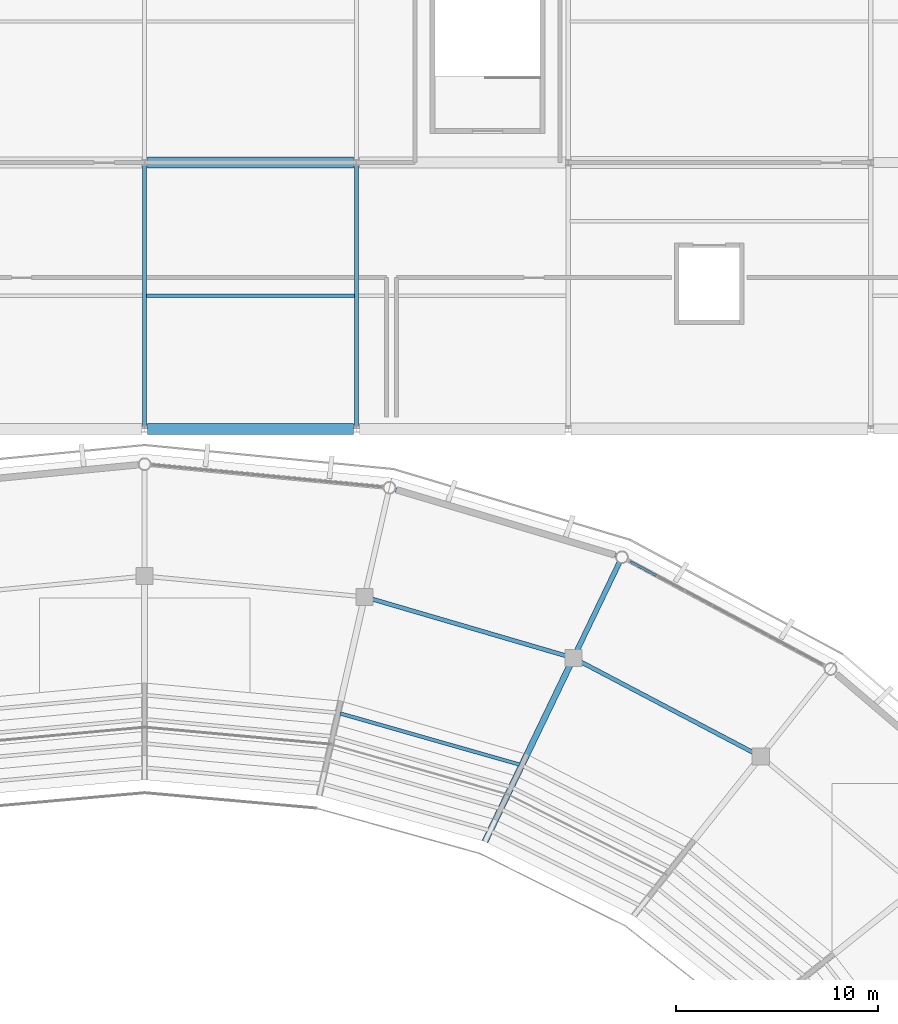
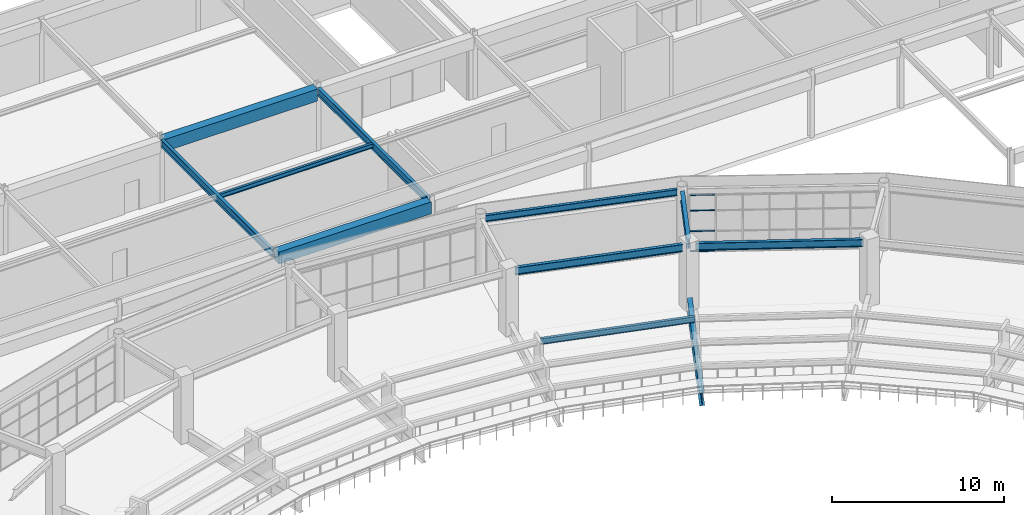
# One storey, part 60 of 122: 11 beams, 4 members, 1 element without a shape of its own.
"""IFC4 building model written with IfcOpenShell, lengths in metres."""

from ifc_helpers import new_model, si_unit, direction, frame, origin, origin_2d, place, context, subcontext, project, spatial, rectangle, i_section, extrude, material, material_profile, profile_set, type_object, element, aggregate, save


model = new_model("IFC4")

# Units and contexts
model_context = context("Model", 3, precision=1e-05, world=origin(), true_north=direction((0.0, 1.0)))
body_context = subcontext(model_context, "Body", "Model", "MODEL_VIEW")
ifc_project = project(units=[si_unit("LENGTHUNIT", "METRE"), si_unit("AREAUNIT", "SQUARE_METRE"), si_unit("VOLUMEUNIT", "CUBIC_METRE"), si_unit("PLANEANGLEUNIT", "RADIAN"), si_unit("MASSUNIT", "GRAM", prefix="KILO")], contexts=[model_context])

# Site, building, storey
site_placement = place(None, origin())
site = spatial("IfcSite", under=ifc_project, at=site_placement, CompositionType="ELEMENT")
building_placement = place(site_placement, origin())
building = spatial("IfcBuilding", under=site, at=building_placement, Name="Cuetzalor Civic Arena", CompositionType="ELEMENT")
storey_placement = place(building_placement, frame((0.0, 0.0, 16.199951171875)))
storey = spatial("IfcBuildingStorey", under=building, at=storey_placement, Name="L03", CompositionType="ELEMENT", Elevation=16.199951171875)

# Beams
ifc_material_1 = material(Name="Concrete C40/50", Category="concrete")
ifc_material_profile_1 = material_profile(ifc_material_1, rectangle(XDim=0.550048828125, YDim=0.85009765625, at=origin_2d()), Name="RC 550x850")
ifc_profile_set_1 = profile_set([ifc_material_profile_1], Name="Concrete C40/50")
beam_type_1 = type_object("IfcBeamType", Name="ConcreteFrameBeam_550x850", PredefinedType="BEAM", material=ifc_profile_set_1)
for number, where, z_axis, x_axis, name in (
    (1, (0.142578125, 48.300048828125, 4.074951171875), (1.0, 0.0, 0.0), (0.0, 1.0, 0.0), "Frame Girder V5-L03-X1034"),
    (2, (0.142578125, 61.5, 4.074951171875), (1.0, 0.0, 0.0), (0.0, 1.0, 0.0), "Frame Girder V5-L03-X1044"),
):
    element("IfcBeam", number, at=place(storey_placement, frame(where, z_axis=z_axis, x_axis=x_axis)), inside=storey, type_object=beam_type_1, Name=name, PredefinedType="BEAM", context=body_context, shape_type="SweptSolid", body=[
        extrude(rectangle(XDim=0.550048828125, YDim=0.85009765625, at=origin_2d()), origin(), (0.0, 0.0, 1.0), 10.21484375),
    ])

# Curtain wall, members
ifc_material_2 = material(Name="Anodised dark bronze aluminium and low-E solar glass", Category="aluminium")
curtain_wall_type = type_object("IfcCurtainWallType", Name="UnitisedCW_10950x4050", PredefinedType="USERDEFINED", material=ifc_material_2)
curtain_wall_placement = place(storey_placement, origin())
curtain_wall = element("IfcCurtainWall", 3, at=curtain_wall_placement, inside=storey, type_object=curtain_wall_type, Name="Drum Triangle Foyer Curtain Wall L03-046", ObjectType="UNITISED CURTAIN WALL", PredefinedType="USERDEFINED")
ifc_material_3 = material(Name="Anodised dark bronze aluminium", Category="aluminium")
ifc_material_profile_2 = material_profile(ifc_material_3, rectangle(XDim=0.1201171875, YDim=0.06494140625, at=origin_2d()), Name="ALU TRANSOM 65x120")
ifc_profile_set_2 = profile_set([ifc_material_profile_2], Name="Anodised dark bronze aluminium")
member_type = type_object("IfcMemberType", Name="CurtainWallTransom_60x120", PredefinedType="USERDEFINED", material=ifc_profile_set_2)
member_1_placement = place(storey_placement, frame((24.07373046875, 41.722900390625, 0.032470703125), z_axis=(0.881309117216, -0.472540199255, 0.0), x_axis=(0.472540199255, 0.881309117216, 0.0)))
member_1 = element("IfcMember", 4, at=member_1_placement, type_object=member_type, Name="CW-13 transom 1.1", ObjectType="TRANSOM", PredefinedType="USERDEFINED", context=body_context, shape_type="SweptSolid", body=[
    extrude(rectangle(XDim=0.1201171875, YDim=0.06494140625, at=origin_2d()), origin(), (0.0, 0.0, 1.0), 1.46630859375),
])
member_2_placement = place(storey_placement, frame((24.07373046875, 41.722900390625, 1.458984375), z_axis=(0.881309117216, -0.472540199255, 0.0), x_axis=(0.472540199255, 0.881309117216, 0.0)))
member_2 = element("IfcMember", 5, at=member_2_placement, type_object=member_type, Name="CW-13 transom 1.2", ObjectType="TRANSOM", PredefinedType="USERDEFINED", context=body_context, shape_type="SweptSolid", body=[
    extrude(rectangle(XDim=0.1201171875, YDim=0.06494140625, at=origin_2d()), origin(), (0.0, 0.0, 1.0), 1.46630859375),
])
member_3_placement = place(storey_placement, frame((24.07373046875, 41.722900390625, 2.91796875), z_axis=(0.881309117216, -0.472540199255, 0.0), x_axis=(0.472540199255, 0.881309117216, 0.0)))
member_3 = element("IfcMember", 6, at=member_3_placement, type_object=member_type, Name="CW-13 transom 1.3", ObjectType="TRANSOM", PredefinedType="USERDEFINED", context=body_context, shape_type="SweptSolid", body=[
    extrude(rectangle(XDim=0.1201171875, YDim=0.06494140625, at=origin_2d()), origin(), (0.0, 0.0, 1.0), 1.46630859375),
])
member_4_placement = place(storey_placement, frame((24.07373046875, 41.722900390625, 4.0205078125), z_axis=(0.881309117216, -0.472540199255, 0.0), x_axis=(0.472540199255, 0.881309117216, 0.0)))
member_4 = element("IfcMember", 7, at=member_4_placement, type_object=member_type, Name="CW-13 transom 1.4", ObjectType="TRANSOM", PredefinedType="USERDEFINED", context=body_context, shape_type="SweptSolid", body=[
    extrude(rectangle(XDim=0.1201171875, YDim=0.06494140625, at=origin_2d()), origin(), (0.0, 0.0, 1.0), 1.46630859375),
])
aggregate(curtain_wall, [member_1, member_2, member_3, member_4])

# Beams
ifc_material_4 = material(Name="Steel S355", Category="steel")
ifc_material_profile_3 = material_profile(ifc_material_4, i_section(OverallWidth=0.18994140625, OverallDepth=0.45703125, WebThickness=0.009033203125, FlangeThickness=0.014404296875, at=origin_2d()), Name="W460x74")
ifc_profile_set_3 = profile_set([ifc_material_profile_3], Name="Steel S355")
beam_type_2 = type_object("IfcBeamType", Name="FacadeSpandrelBeam_W460", PredefinedType="SPANDREL", material=ifc_profile_set_3)
beam_1_placement = place(storey_placement, frame((23.390380859375, 42.023193359375, 4.29150390625), z_axis=(-0.958199215373, 0.28610184141, 0.0), x_axis=(-0.28610184141, -0.958199215373, 0.0)))
element("IfcBeam", 8, at=beam_1_placement, inside=storey, type_object=beam_type_2, Name="Drum Perimeter Spandrel L03-S06", PredefinedType="SPANDREL", context=body_context, shape_type="SweptSolid", body=[
    extrude(i_section(OverallWidth=0.18994140625, OverallDepth=0.45703125, WebThickness=0.009033203125, FlangeThickness=0.014404296875, at=origin_2d()), origin(), (0.0, 0.0, 1.0), 11.45263671875),
])
ifc_material_5 = material(Name="Steel S355", Category="steel")
ifc_material_profile_4 = material_profile(ifc_material_5, i_section(OverallWidth=0.166015625, OverallDepth=0.31298828125, WebThickness=0.006591796875, FlangeThickness=0.01123046875, at=origin_2d()), Name="W310x45")
ifc_profile_set_4 = profile_set([ifc_material_profile_4], Name="Steel S355")
beam_type_3 = type_object("IfcBeamType", Name="SecondaryRoofJoist_W310", PredefinedType="JOIST", material=ifc_profile_set_4)
beam_2_placement = place(storey_placement, frame((0.096435546875, 54.89990234375, 4.343505859375), z_axis=(1.0, 0.0, 0.0), x_axis=(0.0, 1.0, 0.0)))
element("IfcBeam", 9, at=beam_2_placement, inside=storey, type_object=beam_type_3, Name="Secondary Floor Joist V5-L03-0324", PredefinedType="JOIST", context=body_context, shape_type="SweptSolid", body=[
    extrude(i_section(OverallWidth=0.166015625, OverallDepth=0.31298828125, WebThickness=0.006591796875, FlangeThickness=0.01123046875, at=origin_2d()), origin(), (0.0, 0.0, 1.0), 10.30712890625),
])
ifc_material_6 = material(Name="Steel S355", Category="steel")
ifc_material_profile_5 = material_profile(ifc_material_6, i_section(OverallWidth=0.208984375, OverallDepth=0.532958984375, WebThickness=0.01025390625, FlangeThickness=0.015625, at=origin_2d()), Name="W530x92")
ifc_profile_set_5 = profile_set([ifc_material_profile_5], Name="Steel S355")
beam_type_4 = type_object("IfcBeamType", Name="SteelCollarGirder_W530", PredefinedType="BEAM", material=ifc_profile_set_5)
beam_3_placement = place(storey_placement, frame((30.223388671875, 32.227294921875, 4.253662109375), z_axis=(-0.885117354883, 0.465367884673, 0.0), x_axis=(-0.465367884673, -0.885117354883, 0.0)))
element("IfcBeam", 10, at=beam_3_placement, inside=storey, type_object=beam_type_4, Name="Drum Concourse Ring Girder L03-S05", PredefinedType="BEAM", context=body_context, shape_type="SweptSolid", body=[
    extrude(i_section(OverallWidth=0.208984375, OverallDepth=0.532958984375, WebThickness=0.01025390625, FlangeThickness=0.015625, at=origin_2d()), origin(), (0.0, 0.0, 1.0), 9.75634765625),
])
beam_4_placement = place(storey_placement, frame((20.9052734375, 37.043701171875, 4.253662109375), z_axis=(-0.959716323112, 0.280970779889, 0.0), x_axis=(-0.280970779889, -0.959716323112, 0.0)))
element("IfcBeam", 11, at=beam_4_placement, inside=storey, type_object=beam_type_4, Name="Drum Concourse Ring Girder L03-S06", PredefinedType="BEAM", context=body_context, shape_type="SweptSolid", body=[
    extrude(i_section(OverallWidth=0.208984375, OverallDepth=0.532958984375, WebThickness=0.01025390625, FlangeThickness=0.015625, at=origin_2d()), origin(), (0.0, 0.0, 1.0), 10.0517578125),
])
for number, where, z_axis, x_axis, name in (
    (12, (0.0, 48.444091796875, 4.233642578125), (0.0, 1.0, 0.0), (-1.0, 0.0, 0.0), "Frame Girder V5-L03-Y1071"),
    (13, (10.5, 48.444091796875, 4.233642578125), (0.0, 1.0, 0.0), (-1.0, 0.0, 0.0), "Frame Girder V5-L03-Y1073"),
):
    element("IfcBeam", number, at=place(storey_placement, frame(where, z_axis=z_axis, x_axis=x_axis)), inside=storey, type_object=beam_type_4, Name=name, PredefinedType="BEAM", context=body_context, shape_type="SweptSolid", body=[
        extrude(i_section(OverallWidth=0.208984375, OverallDepth=0.532958984375, WebThickness=0.01025390625, FlangeThickness=0.015625, at=origin_2d()), origin(), (0.0, 0.0, 1.0), 12.911865234375),
    ])
ifc_material_7 = material(Name="Steel S355", Category="steel")
ifc_material_profile_6 = material_profile(ifc_material_7, i_section(OverallWidth=0.2529296875, OverallDepth=0.677978515625, WebThickness=0.01171875, FlangeThickness=0.016357421875, at=origin_2d()), Name="W690x125")
ifc_profile_set_6 = profile_set([ifc_material_profile_6], Name="Steel S355")
beam_type_5 = type_object("IfcBeamType", Name="SteelPrimaryGirder_W690", PredefinedType="BEAM", material=ifc_profile_set_6)
beam_5_placement = place(storey_placement, frame((21.41650390625, 37.263916015625, 4.18115234375), z_axis=(0.433871046232, 0.900974980364, 0.0), x_axis=(-0.900974980364, 0.433871046232, 0.0)))
element("IfcBeam", 14, at=beam_5_placement, inside=storey, type_object=beam_type_5, Name="Drum Radial Girder L03-R06", PredefinedType="BEAM", context=body_context, shape_type="SweptSolid", body=[
    extrude(i_section(OverallWidth=0.2529296875, OverallDepth=0.677978515625, WebThickness=0.01171875, FlangeThickness=0.016357421875, at=origin_2d()), origin(), (0.0, 0.0, 1.0), 4.89990234375),
])
ifc_material_8 = material(Name="Steel S355", Category="steel")
ifc_material_profile_7 = material_profile(ifc_material_8, i_section(OverallWidth=0.177978515625, OverallDepth=0.406982421875, WebThickness=0.0078125, FlangeThickness=0.0126953125, at=origin_2d()), Name="W410x60")
ifc_profile_set_7 = profile_set([ifc_material_profile_7], Name="Steel S355")
beam_type_6 = type_object("IfcBeamType", Name="SteelSecondaryBeam_W410", PredefinedType="BEAM", material=ifc_profile_set_7)
beam_6_placement = place(storey_placement, frame((18.596435546875, 31.653564453125, 3.25146484375), z_axis=(-0.961709849656, 0.27406963545, 0.0), x_axis=(-0.27406963545, -0.961709849656, 0.0)))
element("IfcBeam", 15, at=beam_6_placement, inside=storey, type_object=beam_type_6, Name="Upper Bowl Tier Carrier Beam S06-R4", PredefinedType="BEAM", context=body_context, shape_type="SweptSolid", body=[
    extrude(i_section(OverallWidth=0.177978515625, OverallDepth=0.406982421875, WebThickness=0.0078125, FlangeThickness=0.0126953125, at=origin_2d()), origin(), (0.0, 0.0, 1.0), 9.25634765625),
])
ifc_material_9 = material(Name="Steel S355", Category="steel")
ifc_material_profile_8 = material_profile(ifc_material_9, i_section(OverallWidth=0.303955078125, OverallDepth=0.910888671875, WebThickness=0.015869140625, FlangeThickness=0.02392578125, at=origin_2d()), Name="W920x223")
ifc_profile_set_8 = profile_set([ifc_material_profile_8], Name="Steel S355")
beam_type_7 = type_object("IfcBeamType", Name="UpperBowlRakerBeam_W840", PredefinedType="USERDEFINED", material=ifc_profile_set_8)
beam_7_placement = place(storey_placement, frame((16.878173828125, 27.83984375, 0.45556640625), z_axis=(0.433872257187, 0.900974397219, 0.0), x_axis=(-0.900974397219, 0.433872257187, 0.0)))
element("IfcBeam", 16, at=beam_7_placement, inside=storey, type_object=beam_type_7, Name="Upper Bowl Raker Beam R06", ObjectType="RAKER", PredefinedType="USERDEFINED", context=body_context, shape_type="SweptSolid", body=[
    extrude(i_section(OverallWidth=0.303955078125, OverallDepth=0.910888671875, WebThickness=0.015869140625, FlangeThickness=0.02392578125, at=origin_2d()), origin(), (0.0, 0.0, 1.0), 9.72021484375),
])

save(model, "model.ifc")
